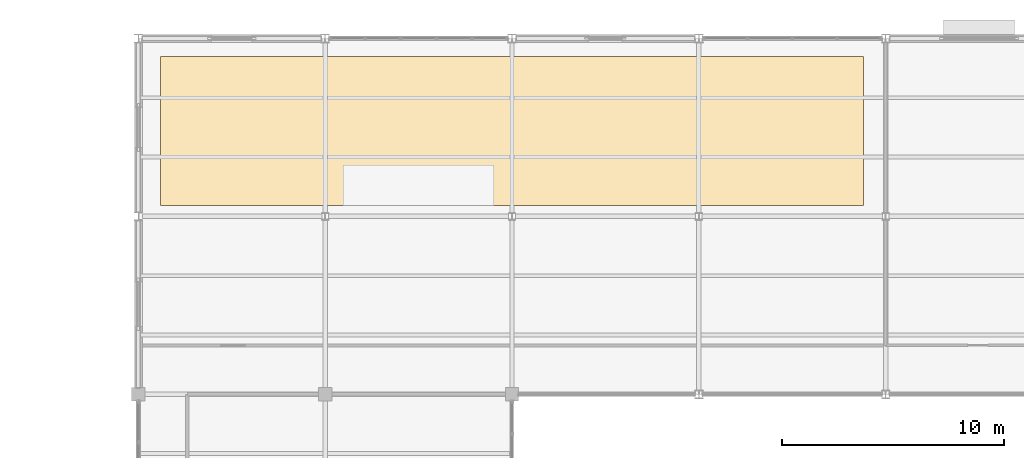
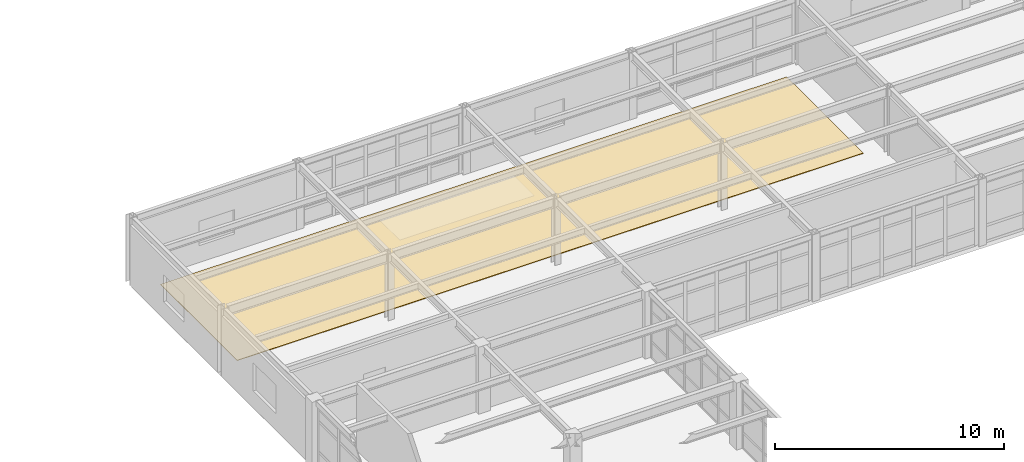
# One storey, part 94 of 96: 1 covering.
"""IFC4 building model written with IfcOpenShell, lengths in metres."""

from ifc_helpers import new_model, si_unit, direction, frame, origin, place, context, subcontext, project, spatial, polyline, outline, extrude, material, layer, layer_set, type_object, element, save


model = new_model("IFC4")

# Units and contexts
model_context = context("Model", 3, precision=1e-05, world=origin(), true_north=direction((0.0, 1.0)))
body_context = subcontext(model_context, "Body", "Model", "MODEL_VIEW")
ifc_project = project(units=[si_unit("LENGTHUNIT", "METRE"), si_unit("AREAUNIT", "SQUARE_METRE"), si_unit("VOLUMEUNIT", "CUBIC_METRE"), si_unit("PLANEANGLEUNIT", "RADIAN"), si_unit("MASSUNIT", "GRAM", prefix="KILO")], contexts=[model_context])

# Site, building, storey
site_placement = place(None, origin())
site = spatial("IfcSite", under=ifc_project, at=site_placement, CompositionType="ELEMENT")
building_placement = place(site_placement, origin())
building = spatial("IfcBuilding", under=site, at=building_placement, Name="Kranzveld Transit Interchange", CompositionType="ELEMENT")
storey_placement = place(building_placement, frame((0.0, 0.0, 9.52001953125)))
storey = spatial("IfcBuildingStorey", under=building, at=storey_placement, Name="L02", CompositionType="ELEMENT", Elevation=9.52001953125)

# Covering
ifc_material = material(Name="Pretoria red-purple clinker clay face brick, 35 MPa", Category="masonry")
ifc_layer = layer(ifc_material, 0.030029296875)
ifc_layer_set = layer_set([ifc_layer], Name="Pretoria red-purple clinker clay face brick, 35 MPa")
covering_type = type_object("IfcCoveringType", Name="Heavy-Duty Transit Quarry Tile Flooring 30", PredefinedType="FLOORING", material=ifc_layer_set)
covering_placement = place(storey_placement, origin())
element("IfcCovering", 1, at=covering_placement, inside=storey, type_object=covering_type, Name="Heritage Exhibition Quarry Tile Floor", PredefinedType="FLOORING", context=body_context, shape_type="SweptSolid", body=[
    extrude(outline(polyline([(101.800048828125, 104.5), (133.39990234375, 104.5), (133.39990234375, 111.199951171875), (101.800048828125, 111.199951171875), (101.800048828125, 104.5)])), origin(), (0.0, 0.0, 1.0), 0.030029296875),
])

save(model, "model.ifc")
